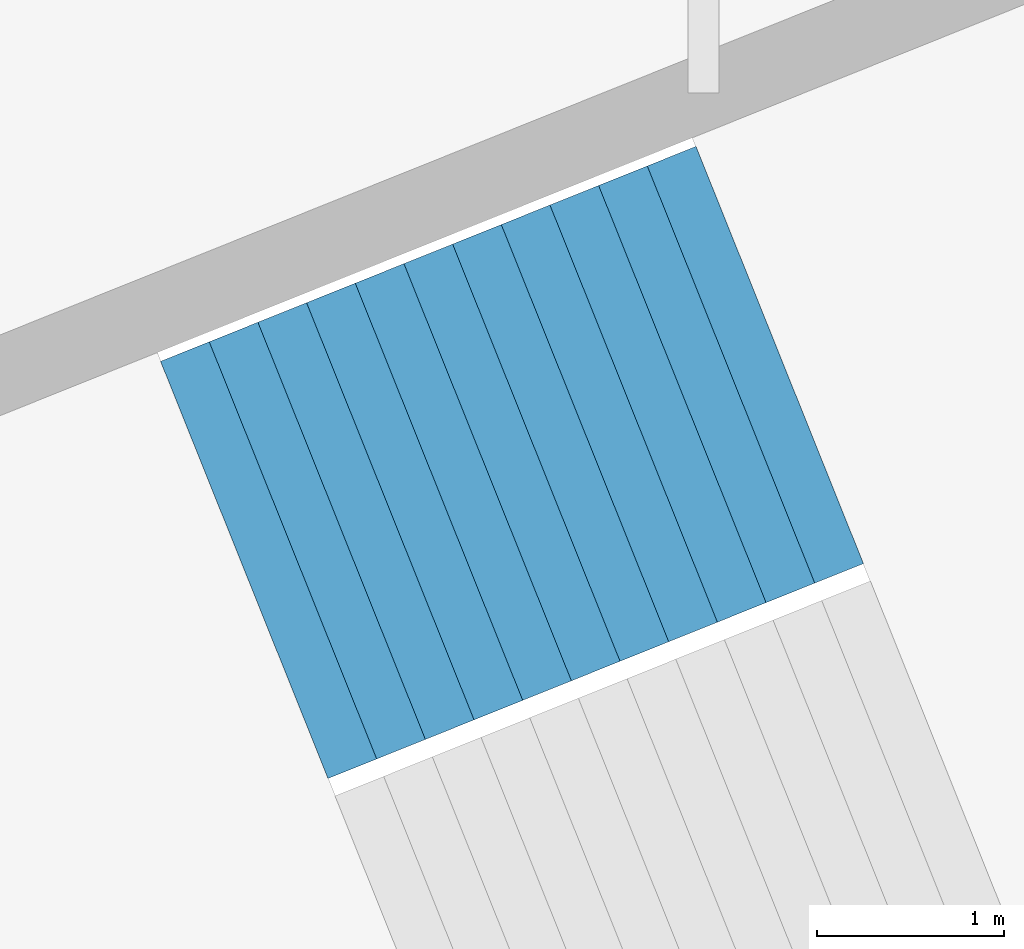
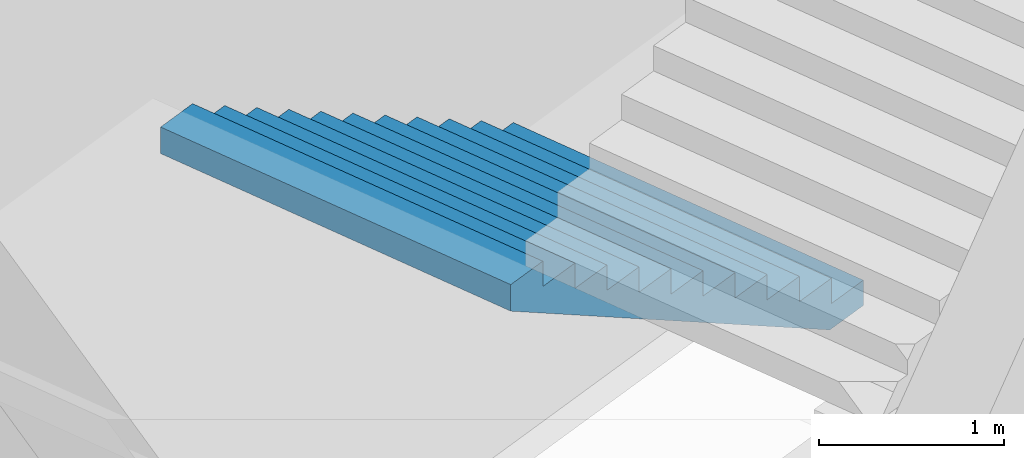
# One storey, part 68 of 74: 1 stair flight, 1 element without a shape of its own.
"""IFC4 building model written with IfcOpenShell, lengths in metres."""

from ifc_helpers import new_model, si_unit, direction, frame, origin, place, context, subcontext, project, spatial, triangles, material, type_object, element, aggregate, save


model = new_model("IFC4")

# Units and contexts
model_context = context("Model", 3, precision=1e-05, world=origin(), true_north=direction((0.0, 1.0)))
body_context = subcontext(model_context, "Body", "Model", "MODEL_VIEW")
ifc_project = project(units=[si_unit("LENGTHUNIT", "METRE"), si_unit("AREAUNIT", "SQUARE_METRE"), si_unit("VOLUMEUNIT", "CUBIC_METRE"), si_unit("PLANEANGLEUNIT", "RADIAN"), si_unit("MASSUNIT", "GRAM", prefix="KILO")], contexts=[model_context])

# Site, building, storey
site_placement = place(None, origin())
site = spatial("IfcSite", under=ifc_project, at=site_placement, CompositionType="ELEMENT")
building_placement = place(site_placement, origin())
building = spatial("IfcBuilding", under=site, at=building_placement, Name="Lantaw Convention Tower", CompositionType="ELEMENT")
storey_placement = place(building_placement, frame((0.0, 0.0, 6.5)))
storey = spatial("IfcBuildingStorey", under=building, at=storey_placement, Name="L01", CompositionType="ELEMENT", Elevation=6.5)

# Stair, stair flight
ifc_material = material(Name="Concrete C35/45", Category="concrete")
stair_type = type_object("IfcStairType", Name="Exit stair 2400 riser 166.67 in 4 flights", PredefinedType="HALF_TURN_STAIR", material=ifc_material)
stair_placement = place(storey_placement, origin())
stair = element("IfcStair", 1, at=stair_placement, inside=storey, type_object=stair_type, Name="Podium exit stair P2 L01", PredefinedType="HALF_TURN_STAIR")
stair_flight_type = type_object("IfcStairFlightType", Name="Stair flight 2400 riser 166.67", PredefinedType="STRAIGHT", material=ifc_material)
stair_flight_placement = place(storey_placement, frame((38.65771484375, 16.86572265625, 2.0), z_axis=(0.0, 0.0, 1.0), x_axis=(-0.928015168305, -0.372542410198, 0.0)))
stair_flight = element("IfcStairFlight", 2, at=stair_flight_placement, type_object=stair_flight_type, Name="P2 flight 2", NumberOfRisers=12, NumberOfTreads=11, PredefinedType="STRAIGHT", RiserHeight=0.166666667, TreadLength=0.28, context=body_context, shape_type="Tessellation", body=[
    triangles([(0.0, 1.199951171875, 0.0), (0.0, 1.199951171875, 0.166666667), (0.28, 1.199951171875, 0.0), (0.28, 1.199951171875, 0.166666667), (0.28, 1.199951171875, 0.333333334), (0.29307345806906726, 1.199951171875, 0.0), (0.29307345806906726, 1.199951171875, 0.333333334), (0.56, 1.199951171875, 0.15888484670522965), (0.56, 1.199951171875, 0.333333334), (0.56, 1.199951171875, 0.500000001), (0.8400000000000001, 1.199951171875, 0.3255515137052296), (0.8400000000000001, 1.199951171875, 0.500000001), (0.8400000000000001, 1.199951171875, 0.666666668), (1.12, 1.199951171875, 0.4922181807052296), (1.12, 1.199951171875, 0.666666668), (1.12, 1.199951171875, 0.833333335), (1.4000000000000001, 1.199951171875, 0.6588848477052296), (1.4000000000000001, 1.199951171875, 0.833333335), (1.4000000000000001, 1.199951171875, 1.000000002), (1.6800000000000002, 1.199951171875, 0.8255515147052296), (1.6800000000000002, 1.199951171875, 1.000000002), (1.6800000000000002, 1.199951171875, 1.166666669), (1.9600000000000002, 1.199951171875, 0.9922181817052296), (1.9600000000000002, 1.199951171875, 1.166666669), (1.9600000000000002, 1.199951171875, 1.333333336), (2.24, 1.199951171875, 1.1588848487052295), (2.24, 1.199951171875, 1.333333336), (2.24, 1.199951171875, 1.5000000029999998), (2.5200000000000005, 1.199951171875, 1.3255515157052296), (2.5200000000000005, 1.199951171875, 1.5000000029999998), (2.5200000000000005, 1.199951171875, 1.66666667), (2.8000000000000003, 1.199951171875, 1.4922181827052294), (2.8000000000000003, 1.199951171875, 1.66666667), (2.8000000000000003, 1.199951171875, 1.833333337), (3.08, 1.199951171875, 1.6588848497052293), (3.08, 1.199951171875, 1.833333337), (0.0, -1.199951171875, 0.0), (0.0, -1.199951171875, 0.166666667), (0.28, -1.199951171875, 0.0), (0.28, -1.199951171875, 0.166666667), (0.28, -1.199951171875, 0.333333334), (0.29307345806906726, -1.199951171875, 0.0), (0.29307345806906726, -1.199951171875, 0.333333334), (0.56, -1.199951171875, 0.15888484670522965), (0.56, -1.199951171875, 0.333333334), (0.56, -1.199951171875, 0.500000001), (0.8400000000000001, -1.199951171875, 0.3255515137052296), (0.8400000000000001, -1.199951171875, 0.500000001), (0.8400000000000001, -1.199951171875, 0.666666668), (1.12, -1.199951171875, 0.4922181807052296), (1.12, -1.199951171875, 0.666666668), (1.12, -1.199951171875, 0.833333335), (1.4000000000000001, -1.199951171875, 0.6588848477052296), (1.4000000000000001, -1.199951171875, 0.833333335), (1.4000000000000001, -1.199951171875, 1.000000002), (1.6800000000000002, -1.199951171875, 0.8255515147052296), (1.6800000000000002, -1.199951171875, 1.000000002), (1.6800000000000002, -1.199951171875, 1.166666669), (1.9600000000000002, -1.199951171875, 0.9922181817052296), (1.9600000000000002, -1.199951171875, 1.166666669), (1.9600000000000002, -1.199951171875, 1.333333336), (2.24, -1.199951171875, 1.1588848487052295), (2.24, -1.199951171875, 1.333333336), (2.24, -1.199951171875, 1.5000000029999998), (2.5200000000000005, -1.199951171875, 1.3255515157052296), (2.5200000000000005, -1.199951171875, 1.5000000029999998), (2.5200000000000005, -1.199951171875, 1.66666667), (2.8000000000000003, -1.199951171875, 1.4922181827052294), (2.8000000000000003, -1.199951171875, 1.66666667), (2.8000000000000003, -1.199951171875, 1.833333337), (3.08, -1.199951171875, 1.6588848497052293), (3.08, -1.199951171875, 1.833333337), (0.0, 0.239990234375, 0.166666667), (0.0, 0.239990234375, 0.0), (0.0, 0.1199951171875, 0.166666667), (0.0, 0.1199951171875, 0.0), (0.0, 0.0, 0.166666667), (0.0, 0.0, 0.0), (0.0, -0.1199951171875, 0.166666667), (0.0, -0.1199951171875, 0.0), (0.0, -0.239990234375, 0.166666667), (0.0, -0.239990234375, 0.0), (0.28, 0.239990234375, 0.333333334), (0.28, 0.239990234375, 0.166666667), (0.28, 0.1199951171875, 0.333333334), (0.28, 0.1199951171875, 0.166666667), (0.28, 0.0, 0.333333334), (0.28, 0.0, 0.166666667), (0.28, -0.1199951171875, 0.333333334), (0.28, -0.1199951171875, 0.166666667), (0.28, -0.239990234375, 0.333333334), (0.28, -0.239990234375, 0.166666667), (0.56, 0.239990234375, 0.500000001), (0.56, 0.239990234375, 0.333333334), (0.56, 0.1199951171875, 0.500000001), (0.56, 0.1199951171875, 0.333333334), (0.56, 0.0, 0.500000001), (0.56, 0.0, 0.333333334), (0.56, -0.1199951171875, 0.500000001), (0.56, -0.1199951171875, 0.333333334), (0.56, -0.239990234375, 0.500000001), (0.56, -0.239990234375, 0.333333334), (0.8400000000000001, 0.239990234375, 0.666666668), (0.8400000000000001, 0.239990234375, 0.500000001), (0.8400000000000001, 0.1199951171875, 0.666666668), (0.8400000000000001, 0.1199951171875, 0.500000001), (0.8400000000000001, 0.0, 0.666666668), (0.8400000000000001, 0.0, 0.500000001), (0.8400000000000001, -0.1199951171875, 0.666666668), (0.8400000000000001, -0.1199951171875, 0.500000001), (0.8400000000000001, -0.239990234375, 0.666666668), (0.8400000000000001, -0.239990234375, 0.500000001), (1.12, 0.239990234375, 0.833333335), (1.12, 0.239990234375, 0.666666668), (1.12, 0.1199951171875, 0.833333335), (1.12, 0.1199951171875, 0.666666668), (1.12, 0.0, 0.833333335), (1.12, 0.0, 0.666666668), (1.12, -0.1199951171875, 0.833333335), (1.12, -0.1199951171875, 0.666666668), (1.12, -0.239990234375, 0.833333335), (1.12, -0.239990234375, 0.666666668), (1.4000000000000001, 0.239990234375, 1.000000002), (1.4000000000000001, 0.239990234375, 0.833333335), (1.4000000000000001, 0.1199951171875, 1.000000002), (1.4000000000000001, 0.1199951171875, 0.833333335), (1.4000000000000001, 0.0, 1.000000002), (1.4000000000000001, 0.0, 0.833333335), (1.4000000000000001, -0.1199951171875, 1.000000002), (1.4000000000000001, -0.1199951171875, 0.833333335), (1.4000000000000001, -0.239990234375, 1.000000002), (1.4000000000000001, -0.239990234375, 0.833333335), (1.6800000000000002, 0.239990234375, 1.166666669), (1.6800000000000002, 0.239990234375, 1.000000002), (1.6800000000000002, 0.1199951171875, 1.166666669), (1.6800000000000002, 0.1199951171875, 1.000000002), (1.6800000000000002, 0.0, 1.166666669), (1.6800000000000002, 0.0, 1.000000002), (1.6800000000000002, -0.1199951171875, 1.166666669), (1.6800000000000002, -0.1199951171875, 1.000000002), (1.6800000000000002, -0.239990234375, 1.166666669), (1.6800000000000002, -0.239990234375, 1.000000002), (1.9600000000000002, 0.239990234375, 1.333333336), (1.9600000000000002, 0.239990234375, 1.166666669), (1.9600000000000002, 0.1199951171875, 1.333333336), (1.9600000000000002, 0.1199951171875, 1.166666669), (1.9600000000000002, 0.0, 1.333333336), (1.9600000000000002, 0.0, 1.166666669), (1.9600000000000002, -0.1199951171875, 1.333333336), (1.9600000000000002, -0.1199951171875, 1.166666669), (1.9600000000000002, -0.239990234375, 1.333333336), (1.9600000000000002, -0.239990234375, 1.166666669), (2.24, 0.239990234375, 1.5000000029999998), (2.24, 0.239990234375, 1.333333336), (2.24, 0.1199951171875, 1.5000000029999998), (2.24, 0.1199951171875, 1.333333336), (2.24, 0.0, 1.5000000029999998), (2.24, 0.0, 1.333333336), (2.24, -0.1199951171875, 1.5000000029999998), (2.24, -0.1199951171875, 1.333333336), (2.24, -0.239990234375, 1.5000000029999998), (2.24, -0.239990234375, 1.333333336), (2.5200000000000005, 0.239990234375, 1.66666667), (2.5200000000000005, 0.239990234375, 1.5000000029999998), (2.5200000000000005, 0.1199951171875, 1.66666667), (2.5200000000000005, 0.1199951171875, 1.5000000029999998), (2.5200000000000005, 0.0, 1.66666667), (2.5200000000000005, 0.0, 1.5000000029999998), (2.5200000000000005, -0.1199951171875, 1.66666667), (2.5200000000000005, -0.1199951171875, 1.5000000029999998), (2.5200000000000005, -0.239990234375, 1.66666667), (2.5200000000000005, -0.239990234375, 1.5000000029999998), (2.8000000000000003, 0.239990234375, 1.833333337), (2.8000000000000003, 0.239990234375, 1.66666667), (2.8000000000000003, 0.1199951171875, 1.833333337), (2.8000000000000003, 0.1199951171875, 1.66666667), (2.8000000000000003, 0.0, 1.833333337), (2.8000000000000003, 0.0, 1.66666667), (2.8000000000000003, -0.1199951171875, 1.833333337), (2.8000000000000003, -0.1199951171875, 1.66666667), (2.8000000000000003, -0.239990234375, 1.833333337), (2.8000000000000003, -0.239990234375, 1.66666667), (0.29307345806906726, 0.239990234375, 0.333333334), (0.29307345806906726, 0.1199951171875, 0.333333334), (0.29307345806906726, 0.0, 0.333333334), (0.29307345806906726, -0.1199951171875, 0.333333334), (0.29307345806906726, -0.239990234375, 0.333333334), (3.08, 0.239990234375, 1.833333337), (3.08, 0.1199951171875, 1.833333337), (3.08, 0.0, 1.833333337), (3.08, -0.1199951171875, 1.833333337), (3.08, -0.239990234375, 1.833333337), (3.08, 0.239990234375, 1.6588848497052293), (3.08, 0.1199951171875, 1.6588848497052293), (3.08, 0.0, 1.6588848497052293), (3.08, -0.1199951171875, 1.6588848497052293), (3.08, -0.239990234375, 1.6588848497052293), (2.8000000000000003, 0.239990234375, 1.4922181827052294), (2.8000000000000003, 0.1199951171875, 1.4922181827052294), (2.8000000000000003, 0.0, 1.4922181827052294), (2.8000000000000003, -0.1199951171875, 1.4922181827052294), (2.8000000000000003, -0.239990234375, 1.4922181827052294), (2.5200000000000005, 0.239990234375, 1.3255515157052296), (2.5200000000000005, 0.1199951171875, 1.3255515157052296), (2.5200000000000005, 0.0, 1.3255515157052296), (2.5200000000000005, -0.1199951171875, 1.3255515157052296), (2.5200000000000005, -0.239990234375, 1.3255515157052296), (2.24, 0.239990234375, 1.1588848487052295), (2.24, 0.1199951171875, 1.1588848487052295), (2.24, 0.0, 1.1588848487052295), (2.24, -0.1199951171875, 1.1588848487052295), (2.24, -0.239990234375, 1.1588848487052295), (1.9600000000000002, 0.239990234375, 0.9922181817052296), (1.9600000000000002, 0.1199951171875, 0.9922181817052296), (1.9600000000000002, 0.0, 0.9922181817052296), (1.9600000000000002, -0.1199951171875, 0.9922181817052296), (1.9600000000000002, -0.239990234375, 0.9922181817052296), (1.6800000000000002, 0.239990234375, 0.8255515147052296), (1.6800000000000002, 0.1199951171875, 0.8255515147052296), (1.6800000000000002, 0.0, 0.8255515147052296), (1.6800000000000002, -0.1199951171875, 0.8255515147052296), (1.6800000000000002, -0.239990234375, 0.8255515147052296), (1.4000000000000001, 0.239990234375, 0.6588848477052296), (1.4000000000000001, 0.1199951171875, 0.6588848477052296), (1.4000000000000001, 0.0, 0.6588848477052296), (1.4000000000000001, -0.1199951171875, 0.6588848477052296), (1.4000000000000001, -0.239990234375, 0.6588848477052296), (1.12, 0.239990234375, 0.4922181807052296), (1.12, 0.1199951171875, 0.4922181807052296), (1.12, 0.0, 0.4922181807052296), (1.12, -0.1199951171875, 0.4922181807052296), (1.12, -0.239990234375, 0.4922181807052296), (0.8400000000000001, 0.239990234375, 0.3255515137052296), (0.8400000000000001, 0.1199951171875, 0.3255515137052296), (0.8400000000000001, 0.0, 0.3255515137052296), (0.8400000000000001, -0.1199951171875, 0.3255515137052296), (0.8400000000000001, -0.239990234375, 0.3255515137052296), (0.56, 0.239990234375, 0.15888484670522965), (0.56, 0.1199951171875, 0.15888484670522965), (0.56, 0.0, 0.15888484670522965), (0.56, -0.1199951171875, 0.15888484670522965), (0.56, -0.239990234375, 0.15888484670522965), (0.29307345806906726, 0.239990234375, 0.0), (0.29307345806906726, 0.1199951171875, 0.0), (0.29307345806906726, 0.0, 0.0), (0.29307345806906726, -0.1199951171875, 0.0), (0.29307345806906726, -0.239990234375, 0.0), (0.28, 0.239990234375, 0.0), (0.28, 0.1199951171875, 0.0), (0.28, 0.0, 0.0), (0.28, -0.1199951171875, 0.0), (0.28, -0.239990234375, 0.0)], [[1, 4, 3], [1, 2, 4], [3, 4, 6], [4, 7, 6], [4, 5, 7], [6, 9, 8], [6, 7, 9], [8, 9, 11], [9, 12, 11], [9, 10, 12], [11, 12, 14], [12, 15, 14], [12, 13, 15], [14, 15, 17], [15, 18, 17], [15, 16, 18], [17, 18, 20], [18, 21, 20], [18, 19, 21], [20, 21, 23], [21, 24, 23], [21, 22, 24], [23, 24, 26], [24, 27, 26], [24, 25, 27], [26, 27, 29], [27, 30, 29], [27, 28, 30], [29, 30, 32], [30, 33, 32], [30, 31, 33], [32, 33, 35], [33, 36, 35], [33, 34, 36], [37, 39, 40], [37, 40, 38], [39, 42, 40], [40, 42, 43], [40, 43, 41], [42, 44, 45], [42, 45, 43], [44, 47, 45], [45, 47, 48], [45, 48, 46], [47, 50, 48], [48, 50, 51], [48, 51, 49], [50, 53, 51], [51, 53, 54], [51, 54, 52], [53, 56, 54], [54, 56, 57], [54, 57, 55], [56, 59, 57], [57, 59, 60], [57, 60, 58], [59, 62, 60], [60, 62, 63], [60, 63, 61], [62, 65, 63], [63, 65, 66], [63, 66, 64], [65, 68, 66], [66, 68, 69], [66, 69, 67], [68, 71, 69], [69, 71, 72], [69, 72, 70], [1, 73, 2], [1, 74, 73], [74, 75, 73], [74, 76, 75], [76, 77, 75], [76, 78, 77], [78, 79, 77], [78, 80, 79], [80, 81, 79], [80, 82, 81], [82, 38, 81], [82, 37, 38], [4, 83, 5], [4, 84, 83], [84, 85, 83], [84, 86, 85], [86, 87, 85], [86, 88, 87], [88, 89, 87], [88, 90, 89], [90, 91, 89], [90, 92, 91], [92, 41, 91], [92, 40, 41], [9, 93, 10], [9, 94, 93], [94, 95, 93], [94, 96, 95], [96, 97, 95], [96, 98, 97], [98, 99, 97], [98, 100, 99], [100, 101, 99], [100, 102, 101], [102, 46, 101], [102, 45, 46], [12, 103, 13], [12, 104, 103], [104, 105, 103], [104, 106, 105], [106, 107, 105], [106, 108, 107], [108, 109, 107], [108, 110, 109], [110, 111, 109], [110, 112, 111], [112, 49, 111], [112, 48, 49], [15, 113, 16], [15, 114, 113], [114, 115, 113], [114, 116, 115], [116, 117, 115], [116, 118, 117], [118, 119, 117], [118, 120, 119], [120, 121, 119], [120, 122, 121], [122, 52, 121], [122, 51, 52], [18, 123, 19], [18, 124, 123], [124, 125, 123], [124, 126, 125], [126, 127, 125], [126, 128, 127], [128, 129, 127], [128, 130, 129], [130, 131, 129], [130, 132, 131], [132, 55, 131], [132, 54, 55], [21, 133, 22], [21, 134, 133], [134, 135, 133], [134, 136, 135], [136, 137, 135], [136, 138, 137], [138, 139, 137], [138, 140, 139], [140, 141, 139], [140, 142, 141], [142, 58, 141], [142, 57, 58], [24, 143, 25], [24, 144, 143], [144, 145, 143], [144, 146, 145], [146, 147, 145], [146, 148, 147], [148, 149, 147], [148, 150, 149], [150, 151, 149], [150, 152, 151], [152, 61, 151], [152, 60, 61], [27, 153, 28], [27, 154, 153], [154, 155, 153], [154, 156, 155], [156, 157, 155], [156, 158, 157], [158, 159, 157], [158, 160, 159], [160, 161, 159], [160, 162, 161], [162, 64, 161], [162, 63, 64], [30, 163, 31], [30, 164, 163], [164, 165, 163], [164, 166, 165], [166, 167, 165], [166, 168, 167], [168, 169, 167], [168, 170, 169], [170, 171, 169], [170, 172, 171], [172, 67, 171], [172, 66, 67], [33, 173, 34], [33, 174, 173], [174, 175, 173], [174, 176, 175], [176, 177, 175], [176, 178, 177], [178, 179, 177], [178, 180, 179], [180, 181, 179], [180, 182, 181], [182, 70, 181], [182, 69, 70], [2, 84, 4], [2, 73, 84], [73, 86, 84], [73, 75, 86], [75, 88, 86], [75, 77, 88], [77, 90, 88], [77, 79, 90], [79, 92, 90], [79, 81, 92], [81, 40, 92], [81, 38, 40], [5, 183, 7], [5, 83, 183], [83, 184, 183], [83, 85, 184], [85, 185, 184], [85, 87, 185], [87, 186, 185], [87, 89, 186], [89, 187, 186], [89, 91, 187], [91, 43, 187], [91, 41, 43], [7, 94, 9], [7, 183, 94], [183, 96, 94], [183, 184, 96], [184, 98, 96], [184, 185, 98], [185, 100, 98], [185, 186, 100], [186, 102, 100], [186, 187, 102], [187, 45, 102], [187, 43, 45], [10, 104, 12], [10, 93, 104], [93, 106, 104], [93, 95, 106], [95, 108, 106], [95, 97, 108], [97, 110, 108], [97, 99, 110], [99, 112, 110], [99, 101, 112], [101, 48, 112], [101, 46, 48], [13, 114, 15], [13, 103, 114], [103, 116, 114], [103, 105, 116], [105, 118, 116], [105, 107, 118], [107, 120, 118], [107, 109, 120], [109, 122, 120], [109, 111, 122], [111, 51, 122], [111, 49, 51], [16, 124, 18], [16, 113, 124], [113, 126, 124], [113, 115, 126], [115, 128, 126], [115, 117, 128], [117, 130, 128], [117, 119, 130], [119, 132, 130], [119, 121, 132], [121, 54, 132], [121, 52, 54], [19, 134, 21], [19, 123, 134], [123, 136, 134], [123, 125, 136], [125, 138, 136], [125, 127, 138], [127, 140, 138], [127, 129, 140], [129, 142, 140], [129, 131, 142], [131, 57, 142], [131, 55, 57], [22, 144, 24], [22, 133, 144], [133, 146, 144], [133, 135, 146], [135, 148, 146], [135, 137, 148], [137, 150, 148], [137, 139, 150], [139, 152, 150], [139, 141, 152], [141, 60, 152], [141, 58, 60], [25, 154, 27], [25, 143, 154], [143, 156, 154], [143, 145, 156], [145, 158, 156], [145, 147, 158], [147, 160, 158], [147, 149, 160], [149, 162, 160], [149, 151, 162], [151, 63, 162], [151, 61, 63], [28, 164, 30], [28, 153, 164], [153, 166, 164], [153, 155, 166], [155, 168, 166], [155, 157, 168], [157, 170, 168], [157, 159, 170], [159, 172, 170], [159, 161, 172], [161, 66, 172], [161, 64, 66], [31, 174, 33], [31, 163, 174], [163, 176, 174], [163, 165, 176], [165, 178, 176], [165, 167, 178], [167, 180, 178], [167, 169, 180], [169, 182, 180], [169, 171, 182], [171, 69, 182], [171, 67, 69], [34, 188, 36], [34, 173, 188], [173, 189, 188], [173, 175, 189], [175, 190, 189], [175, 177, 190], [177, 191, 190], [177, 179, 191], [179, 192, 191], [179, 181, 192], [181, 72, 192], [181, 70, 72], [36, 193, 35], [36, 188, 193], [188, 194, 193], [188, 189, 194], [189, 195, 194], [189, 190, 195], [190, 196, 195], [190, 191, 196], [191, 197, 196], [191, 192, 197], [192, 71, 197], [192, 72, 71], [35, 198, 32], [35, 193, 198], [193, 199, 198], [193, 194, 199], [194, 200, 199], [194, 195, 200], [195, 201, 200], [195, 196, 201], [196, 202, 201], [196, 197, 202], [197, 68, 202], [197, 71, 68], [32, 203, 29], [32, 198, 203], [198, 204, 203], [198, 199, 204], [199, 205, 204], [199, 200, 205], [200, 206, 205], [200, 201, 206], [201, 207, 206], [201, 202, 207], [202, 65, 207], [202, 68, 65], [29, 208, 26], [29, 203, 208], [203, 209, 208], [203, 204, 209], [204, 210, 209], [204, 205, 210], [205, 211, 210], [205, 206, 211], [206, 212, 211], [206, 207, 212], [207, 62, 212], [207, 65, 62], [26, 213, 23], [26, 208, 213], [208, 214, 213], [208, 209, 214], [209, 215, 214], [209, 210, 215], [210, 216, 215], [210, 211, 216], [211, 217, 216], [211, 212, 217], [212, 59, 217], [212, 62, 59], [23, 218, 20], [23, 213, 218], [213, 219, 218], [213, 214, 219], [214, 220, 219], [214, 215, 220], [215, 221, 220], [215, 216, 221], [216, 222, 221], [216, 217, 222], [217, 56, 222], [217, 59, 56], [20, 223, 17], [20, 218, 223], [218, 224, 223], [218, 219, 224], [219, 225, 224], [219, 220, 225], [220, 226, 225], [220, 221, 226], [221, 227, 226], [221, 222, 227], [222, 53, 227], [222, 56, 53], [17, 228, 14], [17, 223, 228], [223, 229, 228], [223, 224, 229], [224, 230, 229], [224, 225, 230], [225, 231, 230], [225, 226, 231], [226, 232, 231], [226, 227, 232], [227, 50, 232], [227, 53, 50], [14, 233, 11], [14, 228, 233], [228, 234, 233], [228, 229, 234], [229, 235, 234], [229, 230, 235], [230, 236, 235], [230, 231, 236], [231, 237, 236], [231, 232, 237], [232, 47, 237], [232, 50, 47], [11, 238, 8], [11, 233, 238], [233, 239, 238], [233, 234, 239], [234, 240, 239], [234, 235, 240], [235, 241, 240], [235, 236, 241], [236, 242, 241], [236, 237, 242], [237, 44, 242], [237, 47, 44], [8, 243, 6], [8, 238, 243], [238, 244, 243], [238, 239, 244], [239, 245, 244], [239, 240, 245], [240, 246, 245], [240, 241, 246], [241, 247, 246], [241, 242, 247], [242, 42, 247], [242, 44, 42], [6, 248, 3], [6, 243, 248], [243, 249, 248], [243, 244, 249], [244, 250, 249], [244, 245, 250], [245, 251, 250], [245, 246, 251], [246, 252, 251], [246, 247, 252], [247, 39, 252], [247, 42, 39], [3, 74, 1], [3, 248, 74], [248, 76, 74], [248, 249, 76], [249, 78, 76], [249, 250, 78], [250, 80, 78], [250, 251, 80], [251, 82, 80], [251, 252, 82], [252, 37, 82], [252, 39, 37]], closed=True),
])
aggregate(stair, [stair_flight])

save(model, "model.ifc")
